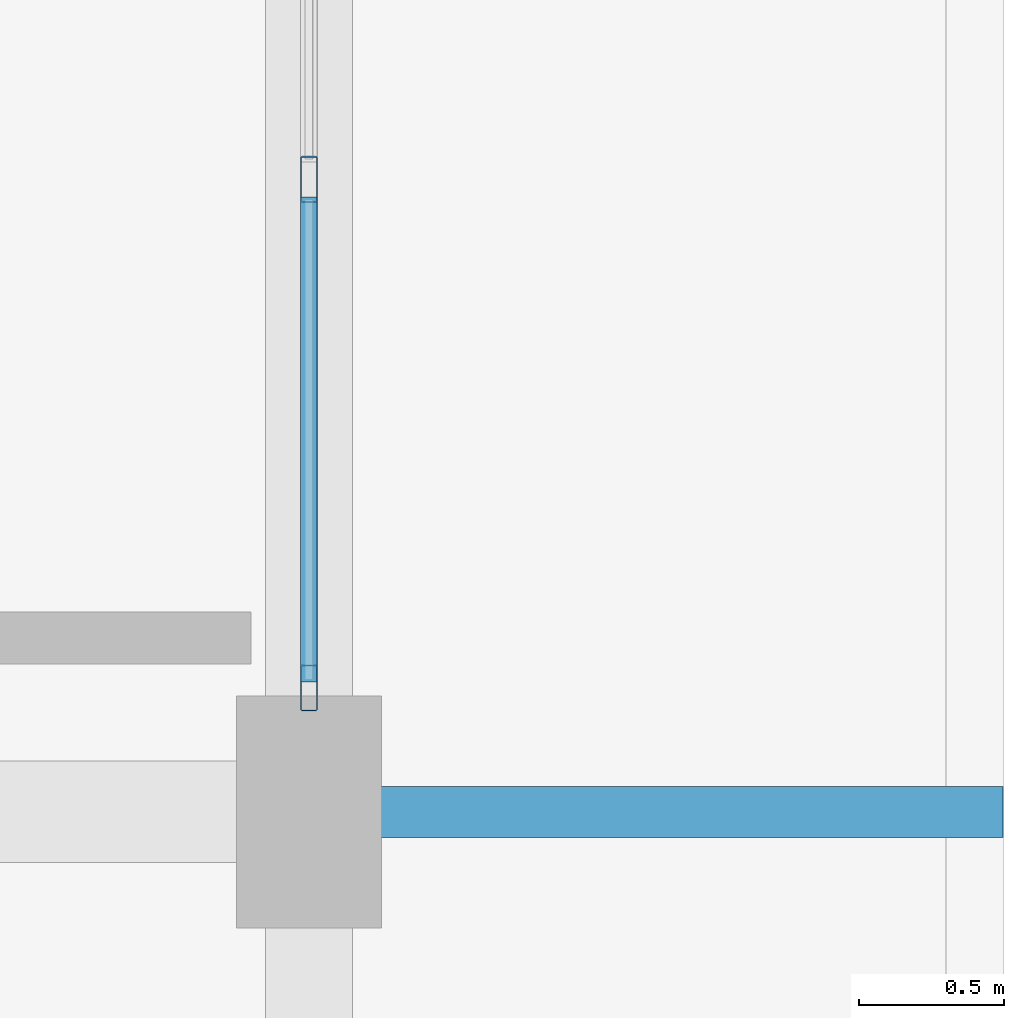
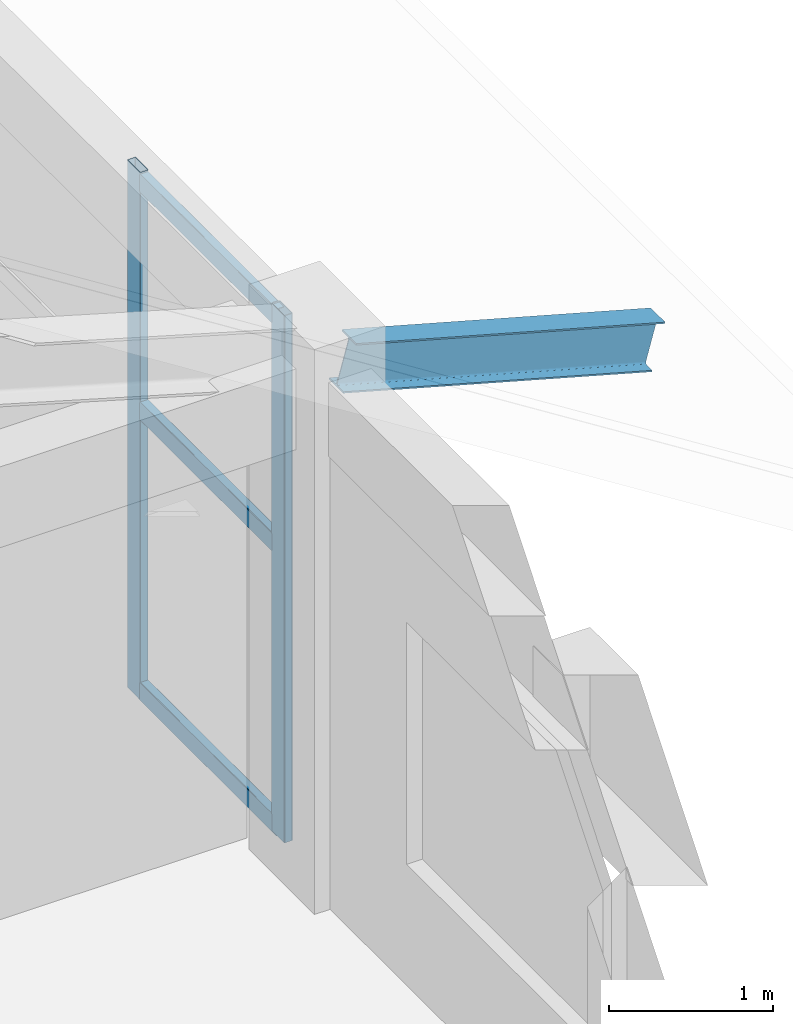
# One storey, part 33 of 58: 5 members, 1 beam, 1 element without a shape of its own.
"""IFC4 building model written with IfcOpenShell, lengths in metres."""

from ifc_helpers import new_model, si_unit, derived_unit, direction, frame, origin, origin_2d, place, context, subcontext, project, spatial, hollow_rectangle, i_section, extrude, material, material_profile, profile_set, type_object, element, aggregate, save


model = new_model("IFC4")

# Units and contexts
model_context = context("Model", 3, precision=1e-05, world=origin(), true_north=direction((0.0, 1.0)))
body_context = subcontext(model_context, "Body", "Model", "MODEL_VIEW")
ifc_project = project(units=[si_unit("LENGTHUNIT", "METRE"), si_unit("AREAUNIT", "SQUARE_METRE"), si_unit("VOLUMEUNIT", "CUBIC_METRE"), si_unit("PLANEANGLEUNIT", "RADIAN"), si_unit("MASSUNIT", "GRAM", prefix="KILO"), derived_unit("THERMALTRANSMITTANCEUNIT", [(si_unit("MASSUNIT", "GRAM", prefix="KILO"), 1), (si_unit("TIMEUNIT", "SECOND"), -3), (si_unit("THERMODYNAMICTEMPERATUREUNIT", "KELVIN"), -1)])], contexts=[model_context])

# Site, building, storey
site_placement = place(None, origin())
site = spatial("IfcSite", under=ifc_project, at=site_placement, CompositionType="ELEMENT")
building_placement = place(site_placement, origin())
building = spatial("IfcBuilding", under=site, at=building_placement, Name="Zhenchuan Archway Interchange", CompositionType="ELEMENT")
storey_placement = place(building_placement, frame((0.0, 0.0, 22.800048828125)))
storey = spatial("IfcBuildingStorey", under=building, at=storey_placement, Name="L05", CompositionType="ELEMENT", Elevation=22.800048828125)

# Beam
ifc_material_1 = material(Name="Steel Q355", Category="steel")
ifc_material_profile_1 = material_profile(ifc_material_1, i_section(OverallWidth=0.175048828125, OverallDepth=0.35009765625, WebThickness=0.007080078125, FlangeThickness=0.010986328125, FilletRadius=0.013916015625, at=origin_2d()), Name="HN 350x175")
ifc_profile_set_1 = profile_set([ifc_material_profile_1], Name="Steel Q355")
beam_type = type_object("IfcBeamType", Name="BM_STL_EAVE_HN350", PredefinedType="BEAM", material=ifc_profile_set_1)
beam_placement = place(storey_placement, frame((171.179931640625, 40.0, 3.719970703125), z_axis=(0.963829493521, 0.0, -0.266519619201), x_axis=(0.0, 1.0, 0.0)))
element("IfcBeam", 1, at=beam_placement, inside=storey, type_object=beam_type, Name="Command wing east storm-eave bracket T3", PredefinedType="BEAM", context=body_context, shape_type="SweptSolid", body=[
    extrude(i_section(OverallWidth=0.175048828125, OverallDepth=0.35009765625, WebThickness=0.007080078125, FlangeThickness=0.010986328125, FilletRadius=0.013916015625, at=origin_2d()), origin(), (0.0, 0.0, 1.0), 2.251708984375),
])

# Curtain wall, members
ifc_material_2 = material(Name="Anodised Aluminium", Category="aluminium")
curtain_wall_type = type_object("IfcCurtainWallType", Name="CW_UNIT_4", PredefinedType="NOTDEFINED", material=ifc_material_2)
curtain_wall_placement = place(storey_placement, origin())
curtain_wall = element("IfcCurtainWall", 2, at=curtain_wall_placement, inside=storey, type_object=curtain_wall_type, Name="Unitised curtain wall CW:L05:207", PredefinedType="NOTDEFINED")
ifc_material_profile_2 = material_profile(ifc_material_2, hollow_rectangle(XDim=0.06005859375, YDim=0.159912109375, WallThickness=0.00390625, InnerFilletRadius=0.00390625, OuterFilletRadius=0.008056640625, at=origin_2d()), Name="ALU 160x60x4")
ifc_profile_set_2 = profile_set([ifc_material_profile_2], Name="Anodised Aluminium")
member_type_1 = type_object("IfcMemberType", Name="CW_MUL_150", PredefinedType="MULLION", material=ifc_profile_set_2)
member_1_placement = place(storey_placement, frame((171.0, 42.18408203125, 0.0), z_axis=(0.0, 0.0, 1.0), x_axis=(1.0, 0.0, 0.0)))
member_1 = element("IfcMember", 3, at=member_1_placement, type_object=member_type_1, Name="CW:L05:207 mullion 3", PredefinedType="MULLION", context=body_context, shape_type="SweptSolid", body=[
    extrude(hollow_rectangle(XDim=0.06005859375, YDim=0.159912109375, WallThickness=0.00390625, InnerFilletRadius=0.00390625, OuterFilletRadius=0.008056640625, at=origin_2d()), origin(), (0.0, 0.0, 1.0), 3.919921875),
])
member_2_placement = place(storey_placement, frame((171.0, 40.427978515625, 0.0), z_axis=(0.0, 0.0, 1.0), x_axis=(1.0, 0.0, 0.0)))
member_2 = element("IfcMember", 4, at=member_2_placement, type_object=member_type_1, Name="CW:L05:207 mullion 4", PredefinedType="MULLION", context=body_context, shape_type="SweptSolid", body=[
    extrude(hollow_rectangle(XDim=0.06005859375, YDim=0.159912109375, WallThickness=0.00390625, InnerFilletRadius=0.00390625, OuterFilletRadius=0.008056640625, at=origin_2d()), origin(), (0.0, 0.0, 1.0), 3.919921875),
])
ifc_material_profile_3 = material_profile(ifc_material_2, hollow_rectangle(XDim=0.06005859375, YDim=0.139892578125, WallThickness=0.00341796875, InnerFilletRadius=0.00341796875, OuterFilletRadius=0.007080078125, at=origin_2d()), Name="ALU 140x60x3.5")
ifc_profile_set_3 = profile_set([ifc_material_profile_3], Name="Anodised Aluminium")
member_type_2 = type_object("IfcMemberType", Name="CW_TRN_140", PredefinedType="USERDEFINED", material=ifc_profile_set_3)
member_3_placement = place(storey_placement, frame((171.0, 42.1240234375, 0.06005859375), z_axis=(0.0, -1.0, 0.0), x_axis=(1.0, 0.0, 0.0)))
member_3 = element("IfcMember", 5, at=member_3_placement, type_object=member_type_2, Name="CW:L05:207 transom 3-1", ObjectType="TRANSOM", PredefinedType="USERDEFINED", context=body_context, shape_type="SweptSolid", body=[
    extrude(hollow_rectangle(XDim=0.06005859375, YDim=0.139892578125, WallThickness=0.00341796875, InnerFilletRadius=0.00341796875, OuterFilletRadius=0.007080078125, at=origin_2d()), origin(), (0.0, 0.0, 1.0), 1.676025390625),
])
member_4_placement = place(storey_placement, frame((171.0, 42.1240234375, 2.14501953125), z_axis=(0.0, -1.0, 0.0), x_axis=(1.0, 0.0, 0.0)))
member_4 = element("IfcMember", 6, at=member_4_placement, type_object=member_type_2, Name="CW:L05:207 transom 3-2", ObjectType="TRANSOM", PredefinedType="USERDEFINED", context=body_context, shape_type="SweptSolid", body=[
    extrude(hollow_rectangle(XDim=0.06005859375, YDim=0.139892578125, WallThickness=0.00341796875, InnerFilletRadius=0.00341796875, OuterFilletRadius=0.007080078125, at=origin_2d()), origin(), (0.0, 0.0, 1.0), 1.676025390625),
])
member_5_placement = place(storey_placement, frame((171.0, 42.1240234375, 3.83984375), z_axis=(0.0, -1.0, 0.0), x_axis=(1.0, 0.0, 0.0)))
member_5 = element("IfcMember", 7, at=member_5_placement, type_object=member_type_2, Name="CW:L05:207 transom 3-3", ObjectType="TRANSOM", PredefinedType="USERDEFINED", context=body_context, shape_type="SweptSolid", body=[
    extrude(hollow_rectangle(XDim=0.06005859375, YDim=0.139892578125, WallThickness=0.00341796875, InnerFilletRadius=0.00341796875, OuterFilletRadius=0.007080078125, at=origin_2d()), origin(), (0.0, 0.0, 1.0), 1.676025390625),
])
aggregate(curtain_wall, [member_1, member_2, member_3, member_4, member_5])

save(model, "model.ifc")
